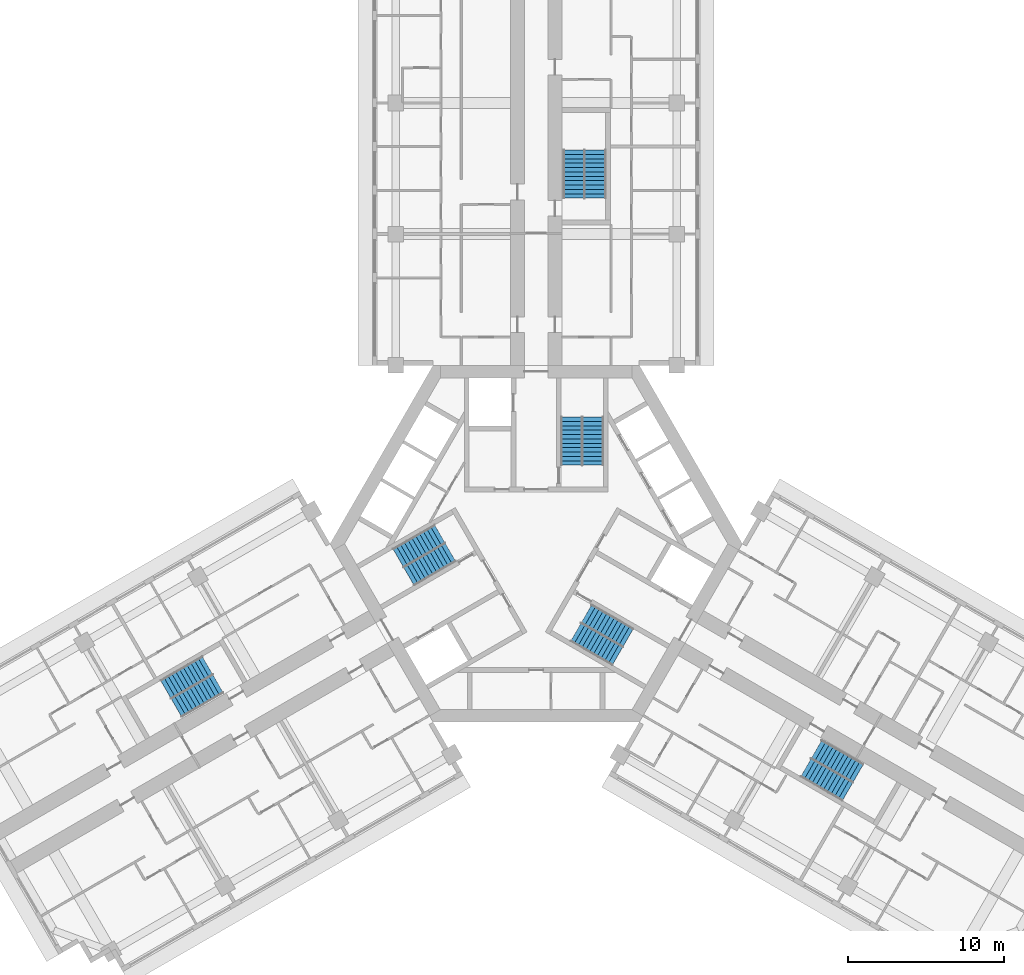
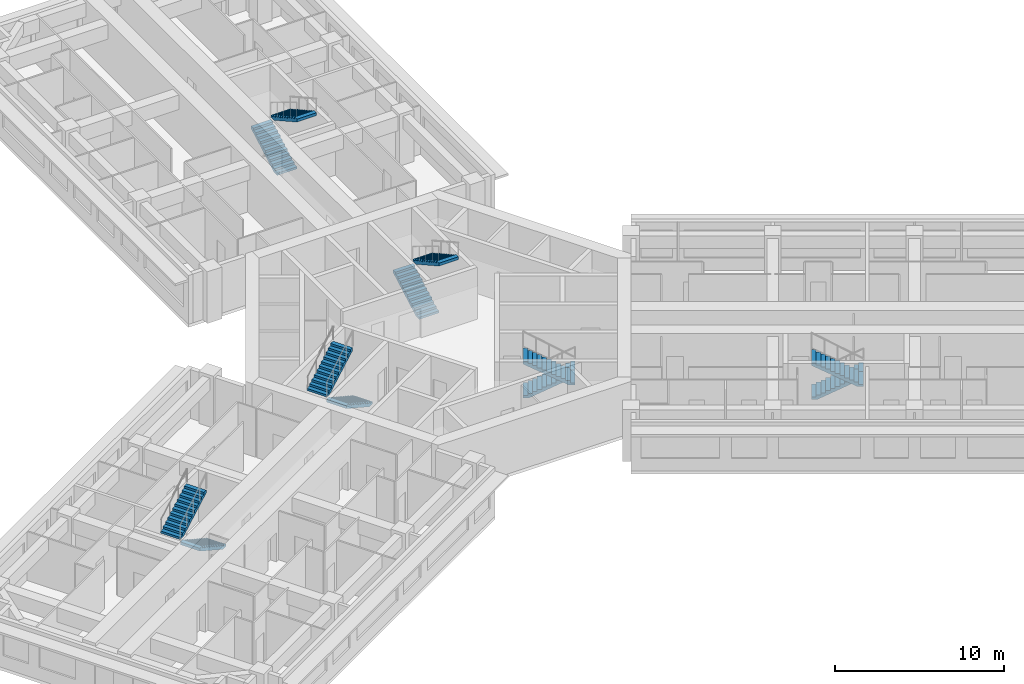
# One storey, part 11 of 12: 12 stair flights, 6 elements without a shape of their own.
"""IFC4 building model written with IfcOpenShell, lengths in metres."""

from ifc_helpers import new_model, si_unit, direction, frame, origin, place, context, subcontext, project, spatial, polyline, outline, extrude, material, type_object, element, aggregate, save


model = new_model("IFC4")

# Units and contexts
model_context = context("Model", 3, precision=1e-05, world=origin(), true_north=direction((0.0, 1.0)))
body_context = subcontext(model_context, "Body", "Model", "MODEL_VIEW")
ifc_project = project(units=[si_unit("LENGTHUNIT", "METRE"), si_unit("AREAUNIT", "SQUARE_METRE"), si_unit("VOLUMEUNIT", "CUBIC_METRE"), si_unit("PLANEANGLEUNIT", "RADIAN"), si_unit("MASSUNIT", "GRAM", prefix="KILO")], contexts=[model_context])

# Site, building, storey
site_placement = place(None, origin())
site = spatial("IfcSite", under=ifc_project, at=site_placement, CompositionType="ELEMENT")
building_placement = place(site_placement, origin())
building = spatial("IfcBuilding", under=site, at=building_placement, Name="Impinga Residences", CompositionType="ELEMENT")
storey_placement = place(building_placement, frame((0.0, 0.0, 169.75)))
storey = spatial("IfcBuildingStorey", under=building, at=storey_placement, Name="L42", CompositionType="ELEMENT", Elevation=169.75)

# Stair, stair flights
ifc_material = material(Name="Concrete C40/50", Category="concrete")
stair_type_1 = type_object("IfcStairType", Name="STR core stair 3750 storey, 24 risers", PredefinedType="HALF_TURN_STAIR", material=ifc_material)
stair_1_placement = place(storey_placement, origin())
stair_1 = element("IfcStair", 1, at=stair_1_placement, inside=storey, type_object=stair_type_1, Name="Stair ST1 L42", PredefinedType="HALF_TURN_STAIR")
stair_flight_type = type_object("IfcStairFlightType", Name="SF 12 risers of 156", PredefinedType="STRAIGHT", material=ifc_material)
stair_flight_1_placement = place(storey_placement, frame((2.27490234375, 5.030029296875, 0.0), z_axis=(0.0, 0.0, 1.0), x_axis=(0.0, 1.0, 0.0)))
stair_flight_1 = element("IfcStairFlight", 2, at=stair_flight_1_placement, type_object=stair_flight_type, Name="ST1 flight 1", NumberOfRisers=12, NumberOfTreads=11, PredefinedType="STRAIGHT", RiserHeight=0.15625, TreadLength=0.28, context=body_context, shape_type="SweptSolid", body=[
    extrude(outline(polyline([(0.0, 0.0), (0.0, 0.15625), (0.280029296875, 0.15625), (0.280029296875, 0.3125), (0.56005859375, 0.3125), (0.56005859375, 0.46875), (0.840087890625, 0.46875), (0.840087890625, 0.625), (1.1201171875, 0.625), (1.1201171875, 0.78125), (1.39990234375, 0.78125), (1.39990234375, 0.9375), (1.679931640625, 0.9375), (1.679931640625, 1.09375), (1.9599609375, 1.09375), (1.9599609375, 1.25), (2.239990234375, 1.25), (2.239990234375, 1.40625), (2.52001953125, 1.40625), (2.52001953125, 1.5625), (2.800048828125, 1.5625), (2.800048828125, 1.71875), (3.080078125, 1.71875), (3.080078125, 1.875), (3.080078125, 1.5126953125), (0.369140625, 0.0), (0.0, 0.0)])), frame((0.0, 0.675048828125, 0.0), z_axis=(0.0, -1.0, 0.0), x_axis=(1.0, 0.0, 0.0)), (0.0, 0.0, 1.0), 1.35009765625),
])
stair_flight_2_placement = place(storey_placement, frame((3.625, 8.110107421875, 1.875), z_axis=(0.0, 0.0, 1.0), x_axis=(0.0, -1.0, 0.0)))
stair_flight_2 = element("IfcStairFlight", 3, at=stair_flight_2_placement, type_object=stair_flight_type, Name="ST1 flight 2", NumberOfRisers=12, NumberOfTreads=11, PredefinedType="STRAIGHT", RiserHeight=0.15625, TreadLength=0.28, context=body_context, shape_type="SweptSolid", body=[
    extrude(outline(polyline([(0.0, 0.0), (0.0, 0.15625), (0.280029296875, 0.15625), (0.280029296875, 0.3125), (0.56005859375, 0.3125), (0.56005859375, 0.46875), (0.840087890625, 0.46875), (0.840087890625, 0.625), (1.1201171875, 0.625), (1.1201171875, 0.78125), (1.39990234375, 0.78125), (1.39990234375, 0.9375), (1.679931640625, 0.9375), (1.679931640625, 1.09375), (1.9599609375, 1.09375), (1.9599609375, 1.25), (2.239990234375, 1.25), (2.239990234375, 1.40625), (2.52001953125, 1.40625), (2.52001953125, 1.5625), (2.800048828125, 1.5625), (2.800048828125, 1.71875), (3.080078125, 1.71875), (3.080078125, 1.875), (3.080078125, 1.5126953125), (0.369140625, 0.0), (0.0, 0.0)])), frame((0.0, 0.675048828125, 0.0), z_axis=(0.0, -1.0, 0.0), x_axis=(1.0, 0.0, 0.0)), (0.0, 0.0, 1.0), 1.35009765625),
])
aggregate(stair_1, [stair_flight_1, stair_flight_2])

stair_2_placement = place(storey_placement, origin())
stair_2 = element("IfcStair", 4, at=stair_2_placement, inside=storey, type_object=stair_type_1, Name="Stair ST2 L42", PredefinedType="HALF_TURN_STAIR")
stair_flight_3_placement = place(storey_placement, frame((-5.49365234375, -0.544677734375, 0.0), z_axis=(0.0, 0.0, 1.0), x_axis=(-0.866025403784, -0.5, 0.0)))
stair_flight_3 = element("IfcStairFlight", 5, at=stair_flight_3_placement, type_object=stair_flight_type, Name="ST2 flight 1", NumberOfRisers=12, NumberOfTreads=11, PredefinedType="STRAIGHT", RiserHeight=0.15625, TreadLength=0.28, context=body_context, shape_type="SweptSolid", body=[
    extrude(outline(polyline([(0.0, 0.0), (0.0, 0.15625), (0.280029296875, 0.15625), (0.280029296875, 0.3125), (0.56005859375, 0.3125), (0.56005859375, 0.46875), (0.840087890625, 0.46875), (0.840087890625, 0.625), (1.1201171875, 0.625), (1.1201171875, 0.78125), (1.39990234375, 0.78125), (1.39990234375, 0.9375), (1.679931640625, 0.9375), (1.679931640625, 1.09375), (1.9599609375, 1.09375), (1.9599609375, 1.25), (2.239990234375, 1.25), (2.239990234375, 1.40625), (2.52001953125, 1.40625), (2.52001953125, 1.5625), (2.800048828125, 1.5625), (2.800048828125, 1.71875), (3.080078125, 1.71875), (3.080078125, 1.875), (3.080078125, 1.5126953125), (0.369140625, 0.0), (0.0, 0.0)])), frame((0.0, 0.675048828125, 0.0), z_axis=(0.0, -1.0, 0.0), x_axis=(1.0, 0.0, 0.0)), (0.0, 0.0, 1.0), 1.35009765625),
])
stair_flight_4_placement = place(storey_placement, frame((-8.8359375, -0.915771484375, 1.875), z_axis=(0.0, 0.0, 1.0), x_axis=(0.866025403784, 0.5, 0.0)))
stair_flight_4 = element("IfcStairFlight", 6, at=stair_flight_4_placement, type_object=stair_flight_type, Name="ST2 flight 2", NumberOfRisers=12, NumberOfTreads=11, PredefinedType="STRAIGHT", RiserHeight=0.15625, TreadLength=0.28, context=body_context, shape_type="SweptSolid", body=[
    extrude(outline(polyline([(0.0, 0.0), (0.0, 0.15625), (0.280029296875, 0.15625), (0.280029296875, 0.3125), (0.56005859375, 0.3125), (0.56005859375, 0.46875), (0.840087890625, 0.46875), (0.840087890625, 0.625), (1.1201171875, 0.625), (1.1201171875, 0.78125), (1.39990234375, 0.78125), (1.39990234375, 0.9375), (1.679931640625, 0.9375), (1.679931640625, 1.09375), (1.9599609375, 1.09375), (1.9599609375, 1.25), (2.239990234375, 1.25), (2.239990234375, 1.40625), (2.52001953125, 1.40625), (2.52001953125, 1.5625), (2.800048828125, 1.5625), (2.800048828125, 1.71875), (3.080078125, 1.71875), (3.080078125, 1.875), (3.080078125, 1.5126953125), (0.369140625, 0.0), (0.0, 0.0)])), frame((0.0, 0.675048828125, 0.0), z_axis=(0.0, -1.0, 0.0), x_axis=(1.0, 0.0, 0.0)), (0.0, 0.0, 1.0), 1.35009765625),
])
aggregate(stair_2, [stair_flight_3, stair_flight_4])

stair_3_placement = place(storey_placement, origin())
stair_3 = element("IfcStair", 7, at=stair_3_placement, inside=storey, type_object=stair_type_1, Name="Stair ST3 L42", PredefinedType="HALF_TURN_STAIR")
stair_flight_5_placement = place(storey_placement, frame((3.218505859375, -4.485107421875, 0.0), z_axis=(0.0, 0.0, 1.0), x_axis=(0.866025403784, -0.5, 0.0)))
stair_flight_5 = element("IfcStairFlight", 8, at=stair_flight_5_placement, type_object=stair_flight_type, Name="ST3 flight 1", NumberOfRisers=12, NumberOfTreads=11, PredefinedType="STRAIGHT", RiserHeight=0.15625, TreadLength=0.28, context=body_context, shape_type="SweptSolid", body=[
    extrude(outline(polyline([(0.0, 0.0), (0.0, 0.15625), (0.280029296875, 0.15625), (0.280029296875, 0.3125), (0.56005859375, 0.3125), (0.56005859375, 0.46875), (0.840087890625, 0.46875), (0.840087890625, 0.625), (1.1201171875, 0.625), (1.1201171875, 0.78125), (1.39990234375, 0.78125), (1.39990234375, 0.9375), (1.679931640625, 0.9375), (1.679931640625, 1.09375), (1.9599609375, 1.09375), (1.9599609375, 1.25), (2.239990234375, 1.25), (2.239990234375, 1.40625), (2.52001953125, 1.40625), (2.52001953125, 1.5625), (2.800048828125, 1.5625), (2.800048828125, 1.71875), (3.080078125, 1.71875), (3.080078125, 1.875), (3.080078125, 1.5126953125), (0.369140625, 0.0), (0.0, 0.0)])), frame((0.0, 0.675048828125, 0.0), z_axis=(0.0, -1.0, 0.0), x_axis=(1.0, 0.0, 0.0)), (0.0, 0.0, 1.0), 1.35009765625),
])
stair_flight_6_placement = place(storey_placement, frame((5.2109375, -7.1943359375, 1.875), z_axis=(0.0, 0.0, 1.0), x_axis=(-0.866025403784, 0.5, 0.0)))
stair_flight_6 = element("IfcStairFlight", 9, at=stair_flight_6_placement, type_object=stair_flight_type, Name="ST3 flight 2", NumberOfRisers=12, NumberOfTreads=11, PredefinedType="STRAIGHT", RiserHeight=0.15625, TreadLength=0.28, context=body_context, shape_type="SweptSolid", body=[
    extrude(outline(polyline([(0.0, 0.0), (0.0, 0.15625), (0.280029296875, 0.15625), (0.280029296875, 0.3125), (0.56005859375, 0.3125), (0.56005859375, 0.46875), (0.840087890625, 0.46875), (0.840087890625, 0.625), (1.1201171875, 0.625), (1.1201171875, 0.78125), (1.39990234375, 0.78125), (1.39990234375, 0.9375), (1.679931640625, 0.9375), (1.679931640625, 1.09375), (1.9599609375, 1.09375), (1.9599609375, 1.25), (2.239990234375, 1.25), (2.239990234375, 1.40625), (2.52001953125, 1.40625), (2.52001953125, 1.5625), (2.800048828125, 1.5625), (2.800048828125, 1.71875), (3.080078125, 1.71875), (3.080078125, 1.875), (3.080078125, 1.5126953125), (0.369140625, 0.0), (0.0, 0.0)])), frame((0.0, 0.675048828125, 0.0), z_axis=(0.0, -1.0, 0.0), x_axis=(1.0, 0.0, 0.0)), (0.0, 0.0, 1.0), 1.35009765625),
])
aggregate(stair_3, [stair_flight_5, stair_flight_6])

stair_type_2 = type_object("IfcStairType", Name="STR wing stair 3750 storey, 24 risers", PredefinedType="HALF_TURN_STAIR", material=ifc_material)
stair_4_placement = place(storey_placement, origin())
stair_4 = element("IfcStair", 10, at=stair_4_placement, inside=storey, type_object=stair_type_2, Name="Stair WS1 L42", PredefinedType="HALF_TURN_STAIR")
stair_flight_7_placement = place(storey_placement, frame((2.425048828125, 22.131591796875, 0.0), z_axis=(0.0, 0.0, 1.0), x_axis=(0.0, 1.0, 0.0)))
stair_flight_7 = element("IfcStairFlight", 11, at=stair_flight_7_placement, type_object=stair_flight_type, Name="WS1 flight 1", NumberOfRisers=12, NumberOfTreads=11, PredefinedType="STRAIGHT", RiserHeight=0.15625, TreadLength=0.28, context=body_context, shape_type="SweptSolid", body=[
    extrude(outline(polyline([(0.0, 0.0), (0.0, 0.15625), (0.280029296875, 0.15625), (0.280029296875, 0.3125), (0.56005859375, 0.3125), (0.56005859375, 0.46875), (0.840087890625, 0.46875), (0.840087890625, 0.625), (1.1201171875, 0.625), (1.1201171875, 0.78125), (1.39990234375, 0.78125), (1.39990234375, 0.9375), (1.679931640625, 0.9375), (1.679931640625, 1.09375), (1.9599609375, 1.09375), (1.9599609375, 1.25), (2.239990234375, 1.25), (2.239990234375, 1.40625), (2.52001953125, 1.40625), (2.52001953125, 1.5625), (2.800048828125, 1.5625), (2.800048828125, 1.71875), (3.080078125, 1.71875), (3.080078125, 1.875), (3.080078125, 1.5126953125), (0.369140625, 0.0), (0.0, 0.0)])), frame((0.0, 0.675048828125, 0.0), z_axis=(0.0, -1.0, 0.0), x_axis=(1.0, 0.0, 0.0)), (0.0, 0.0, 1.0), 1.35009765625),
])
stair_flight_8_placement = place(storey_placement, frame((3.77490234375, 25.21142578125, 1.875), z_axis=(0.0, 0.0, 1.0), x_axis=(0.0, -1.0, 0.0)))
stair_flight_8 = element("IfcStairFlight", 12, at=stair_flight_8_placement, type_object=stair_flight_type, Name="WS1 flight 2", NumberOfRisers=12, NumberOfTreads=11, PredefinedType="STRAIGHT", RiserHeight=0.15625, TreadLength=0.28, context=body_context, shape_type="SweptSolid", body=[
    extrude(outline(polyline([(0.0, 0.0), (0.0, 0.15625), (0.280029296875, 0.15625), (0.280029296875, 0.3125), (0.56005859375, 0.3125), (0.56005859375, 0.46875), (0.840087890625, 0.46875), (0.840087890625, 0.625), (1.1201171875, 0.625), (1.1201171875, 0.78125), (1.39990234375, 0.78125), (1.39990234375, 0.9375), (1.679931640625, 0.9375), (1.679931640625, 1.09375), (1.9599609375, 1.09375), (1.9599609375, 1.25), (2.239990234375, 1.25), (2.239990234375, 1.40625), (2.52001953125, 1.40625), (2.52001953125, 1.5625), (2.800048828125, 1.5625), (2.800048828125, 1.71875), (3.080078125, 1.71875), (3.080078125, 1.875), (3.080078125, 1.5126953125), (0.369140625, 0.0), (0.0, 0.0)])), frame((0.0, 0.675048828125, 0.0), z_axis=(0.0, -1.0, 0.0), x_axis=(1.0, 0.0, 0.0)), (0.0, 0.0, 1.0), 1.35009765625),
])
aggregate(stair_4, [stair_flight_7, stair_flight_8])

stair_5_placement = place(storey_placement, origin())
stair_5 = element("IfcStair", 13, at=stair_5_placement, inside=storey, type_object=stair_type_2, Name="Stair WS2 L42", PredefinedType="HALF_TURN_STAIR")
stair_flight_9_placement = place(storey_placement, frame((-20.37890625, -8.965576171875, 0.0), z_axis=(0.0, 0.0, 1.0), x_axis=(-0.866025403784, -0.5, 0.0)))
stair_flight_9 = element("IfcStairFlight", 14, at=stair_flight_9_placement, type_object=stair_flight_type, Name="WS2 flight 1", NumberOfRisers=12, NumberOfTreads=11, PredefinedType="STRAIGHT", RiserHeight=0.15625, TreadLength=0.28, context=body_context, shape_type="SweptSolid", body=[
    extrude(outline(polyline([(0.0, 0.0), (0.0, 0.15625), (0.280029296875, 0.15625), (0.280029296875, 0.3125), (0.56005859375, 0.3125), (0.56005859375, 0.46875), (0.840087890625, 0.46875), (0.840087890625, 0.625), (1.1201171875, 0.625), (1.1201171875, 0.78125), (1.39990234375, 0.78125), (1.39990234375, 0.9375), (1.679931640625, 0.9375), (1.679931640625, 1.09375), (1.9599609375, 1.09375), (1.9599609375, 1.25), (2.239990234375, 1.25), (2.239990234375, 1.40625), (2.52001953125, 1.40625), (2.52001953125, 1.5625), (2.800048828125, 1.5625), (2.800048828125, 1.71875), (3.080078125, 1.71875), (3.080078125, 1.875), (3.080078125, 1.5126953125), (0.369140625, 0.0), (0.0, 0.0)])), frame((0.0, 0.675048828125, 0.0), z_axis=(0.0, -1.0, 0.0), x_axis=(1.0, 0.0, 0.0)), (0.0, 0.0, 1.0), 1.35009765625),
])
stair_flight_10_placement = place(storey_placement, frame((-23.721435546875, -9.33642578125, 1.875), z_axis=(0.0, 0.0, 1.0), x_axis=(0.866025403784, 0.5, 0.0)))
stair_flight_10 = element("IfcStairFlight", 15, at=stair_flight_10_placement, type_object=stair_flight_type, Name="WS2 flight 2", NumberOfRisers=12, NumberOfTreads=11, PredefinedType="STRAIGHT", RiserHeight=0.15625, TreadLength=0.28, context=body_context, shape_type="SweptSolid", body=[
    extrude(outline(polyline([(0.0, 0.0), (0.0, 0.15625), (0.280029296875, 0.15625), (0.280029296875, 0.3125), (0.56005859375, 0.3125), (0.56005859375, 0.46875), (0.840087890625, 0.46875), (0.840087890625, 0.625), (1.1201171875, 0.625), (1.1201171875, 0.78125), (1.39990234375, 0.78125), (1.39990234375, 0.9375), (1.679931640625, 0.9375), (1.679931640625, 1.09375), (1.9599609375, 1.09375), (1.9599609375, 1.25), (2.239990234375, 1.25), (2.239990234375, 1.40625), (2.52001953125, 1.40625), (2.52001953125, 1.5625), (2.800048828125, 1.5625), (2.800048828125, 1.71875), (3.080078125, 1.71875), (3.080078125, 1.875), (3.080078125, 1.5126953125), (0.369140625, 0.0), (0.0, 0.0)])), frame((0.0, 0.675048828125, 0.0), z_axis=(0.0, -1.0, 0.0), x_axis=(1.0, 0.0, 0.0)), (0.0, 0.0, 1.0), 1.35009765625),
])
aggregate(stair_5, [stair_flight_9, stair_flight_10])

stair_6_placement = place(storey_placement, origin())
stair_6 = element("IfcStair", 16, at=stair_6_placement, inside=storey, type_object=stair_type_2, Name="Stair WS3 L42", PredefinedType="HALF_TURN_STAIR")
stair_flight_11_placement = place(storey_placement, frame((17.953857421875, -13.165771484375, 0.0), z_axis=(0.0, 0.0, 1.0), x_axis=(0.866025403784, -0.5, 0.0)))
stair_flight_11 = element("IfcStairFlight", 17, at=stair_flight_11_placement, type_object=stair_flight_type, Name="WS3 flight 1", NumberOfRisers=12, NumberOfTreads=11, PredefinedType="STRAIGHT", RiserHeight=0.15625, TreadLength=0.28, context=body_context, shape_type="SweptSolid", body=[
    extrude(outline(polyline([(0.0, 0.0), (0.0, 0.15625), (0.280029296875, 0.15625), (0.280029296875, 0.3125), (0.56005859375, 0.3125), (0.56005859375, 0.46875), (0.840087890625, 0.46875), (0.840087890625, 0.625), (1.1201171875, 0.625), (1.1201171875, 0.78125), (1.39990234375, 0.78125), (1.39990234375, 0.9375), (1.679931640625, 0.9375), (1.679931640625, 1.09375), (1.9599609375, 1.09375), (1.9599609375, 1.25), (2.239990234375, 1.25), (2.239990234375, 1.40625), (2.52001953125, 1.40625), (2.52001953125, 1.5625), (2.800048828125, 1.5625), (2.800048828125, 1.71875), (3.080078125, 1.71875), (3.080078125, 1.875), (3.080078125, 1.5126953125), (0.369140625, 0.0), (0.0, 0.0)])), frame((0.0, 0.675048828125, 0.0), z_axis=(0.0, -1.0, 0.0), x_axis=(1.0, 0.0, 0.0)), (0.0, 0.0, 1.0), 1.35009765625),
])
stair_flight_12_placement = place(storey_placement, frame((19.9462890625, -15.875, 1.875), z_axis=(0.0, 0.0, 1.0), x_axis=(-0.866025403784, 0.5, 0.0)))
stair_flight_12 = element("IfcStairFlight", 18, at=stair_flight_12_placement, type_object=stair_flight_type, Name="WS3 flight 2", NumberOfRisers=12, NumberOfTreads=11, PredefinedType="STRAIGHT", RiserHeight=0.15625, TreadLength=0.28, context=body_context, shape_type="SweptSolid", body=[
    extrude(outline(polyline([(0.0, 0.0), (0.0, 0.15625), (0.280029296875, 0.15625), (0.280029296875, 0.3125), (0.56005859375, 0.3125), (0.56005859375, 0.46875), (0.840087890625, 0.46875), (0.840087890625, 0.625), (1.1201171875, 0.625), (1.1201171875, 0.78125), (1.39990234375, 0.78125), (1.39990234375, 0.9375), (1.679931640625, 0.9375), (1.679931640625, 1.09375), (1.9599609375, 1.09375), (1.9599609375, 1.25), (2.239990234375, 1.25), (2.239990234375, 1.40625), (2.52001953125, 1.40625), (2.52001953125, 1.5625), (2.800048828125, 1.5625), (2.800048828125, 1.71875), (3.080078125, 1.71875), (3.080078125, 1.875), (3.080078125, 1.5126953125), (0.369140625, 0.0), (0.0, 0.0)])), frame((0.0, 0.675048828125, 0.0), z_axis=(0.0, -1.0, 0.0), x_axis=(1.0, 0.0, 0.0)), (0.0, 0.0, 1.0), 1.35009765625),
])
aggregate(stair_6, [stair_flight_11, stair_flight_12])

save(model, "model.ifc")
